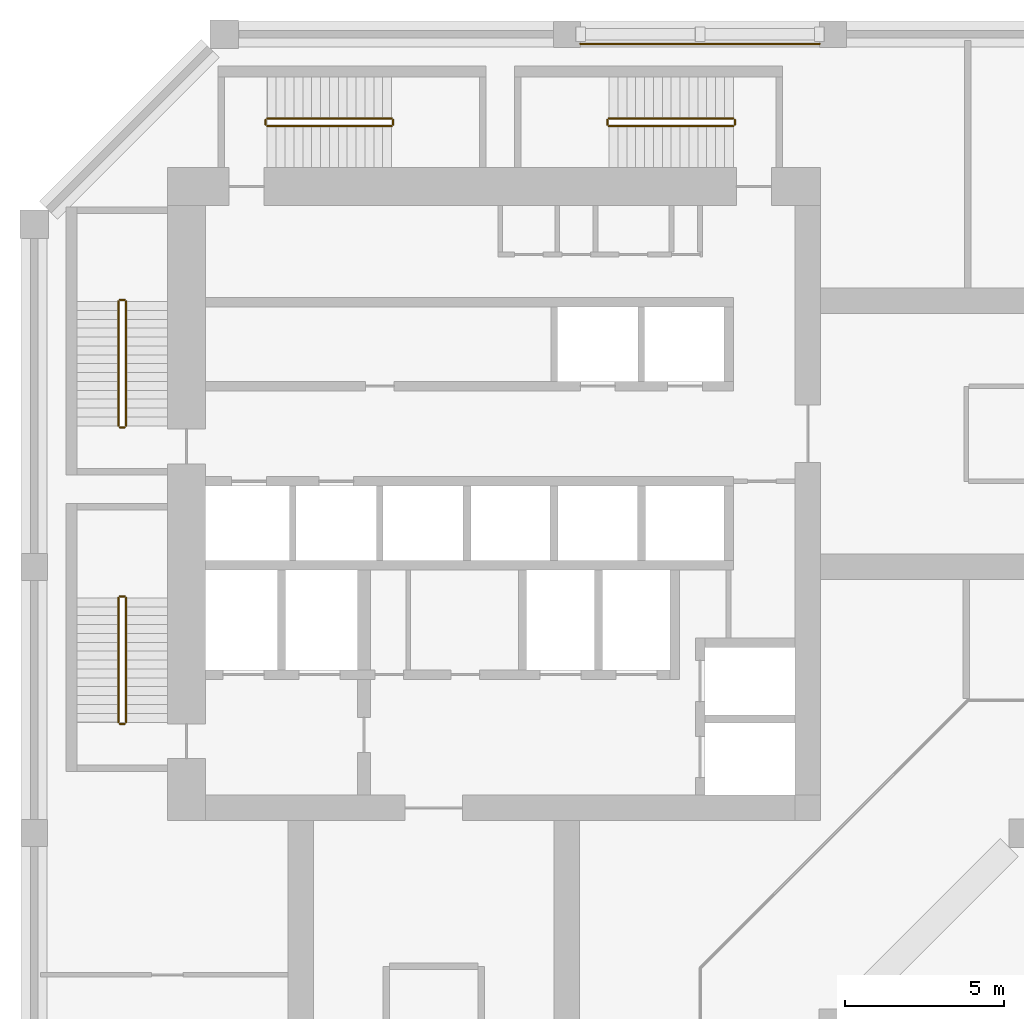
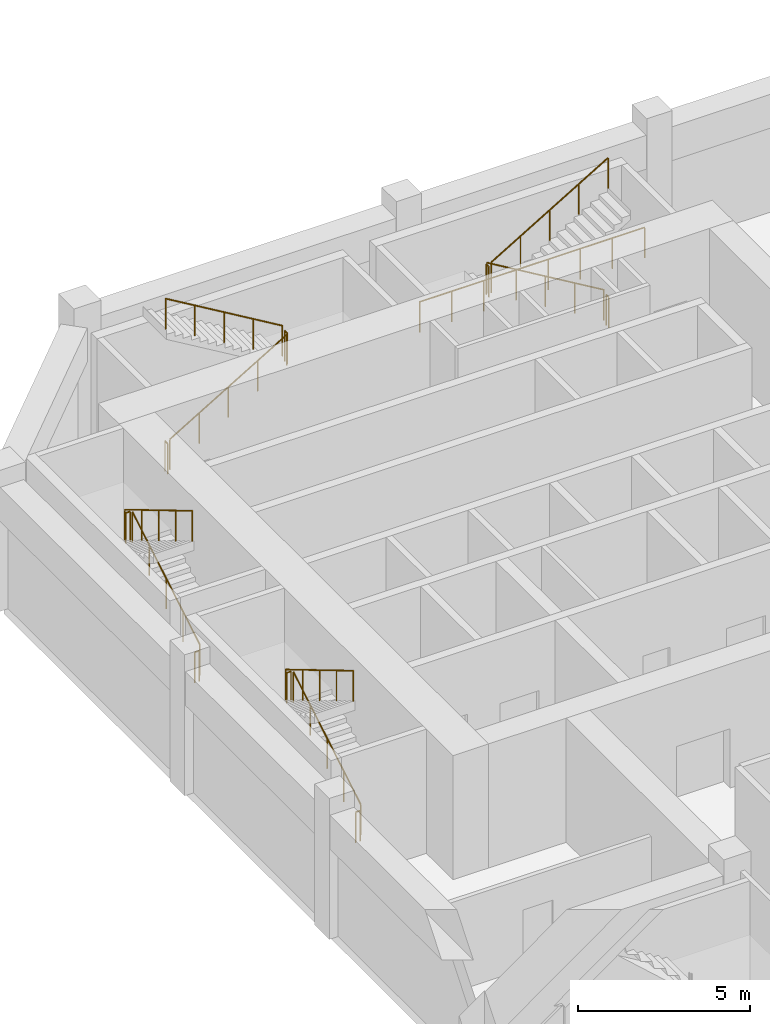
# One storey, part 12 of 14: 17 railings.
"""IFC4 building model written with IfcOpenShell, lengths in metres."""

from ifc_helpers import new_model, si_unit, direction, frame, origin, origin_2d, place, context, subcontext, project, spatial, circle, extrude, material, type_object, element, save


model = new_model("IFC4")

# Units and contexts
model_context = context("Model", 3, precision=1e-05, world=origin(), true_north=direction((0.0, 1.0)))
body_context = subcontext(model_context, "Body", "Model", "MODEL_VIEW")
ifc_project = project(units=[si_unit("LENGTHUNIT", "METRE"), si_unit("AREAUNIT", "SQUARE_METRE"), si_unit("VOLUMEUNIT", "CUBIC_METRE"), si_unit("PLANEANGLEUNIT", "RADIAN"), si_unit("MASSUNIT", "GRAM", prefix="KILO")], contexts=[model_context])

# Site, building, storey
site_placement = place(None, origin())
site = spatial("IfcSite", under=ifc_project, at=site_placement, CompositionType="ELEMENT")
building_placement = place(site_placement, origin())
building = spatial("IfcBuilding", under=site, at=building_placement, Name="Kawkab Arch Medical Tower", CompositionType="ELEMENT")
storey_placement = place(building_placement, frame((0.0, 0.0, 213.0)))
storey = spatial("IfcBuildingStorey", under=building, at=storey_placement, Name="L49", CompositionType="ELEMENT", Elevation=213.0)

# Railings
ifc_material_1 = material(Name="Bronze anodised aluminium guard", Category="aluminium")
railing_type_1 = type_object("IfcRailingType", Name="Loggia and terrace guard 1100", PredefinedType="GUARDRAIL", material=ifc_material_1)
railing_1_placement = place(storey_placement, frame((24.77490234375, -0.300048828125, 0.0)))
element("IfcRailing", 1, at=railing_1_placement, inside=storey, type_object=railing_type_1, Name="Band guard L49.R18.4", PredefinedType="GUARDRAIL", context=body_context, shape_type="SweptSolid", body=[
    extrude(circle(Radius=0.02392578125, at=origin_2d()), frame((0.0, 0.0, 1.076171875), z_axis=(-1.0, 0.0, 0.0), x_axis=(0.0, -1.0, 0.0)), (0.0, 0.0, 1.0), 7.5498046875),
    extrude(circle(Radius=0.02099609375, at=origin_2d()), origin(), (0.0, 0.0, 1.0), 1.052001953125),
    extrude(circle(Radius=0.02099609375, at=origin_2d()), frame((-1.07861328125, 0.0, 0.0)), (0.0, 0.0, 1.0), 1.052001953125),
    extrude(circle(Radius=0.02099609375, at=origin_2d()), frame((-2.156982421875, 0.0, 0.0)), (0.0, 0.0, 1.0), 1.052001953125),
    extrude(circle(Radius=0.02099609375, at=origin_2d()), frame((-3.235595703125, 0.0, 0.0)), (0.0, 0.0, 1.0), 1.052001953125),
    extrude(circle(Radius=0.02099609375, at=origin_2d()), frame((-4.314208984375, 0.0, 0.0)), (0.0, 0.0, 1.0), 1.052001953125),
    extrude(circle(Radius=0.02099609375, at=origin_2d()), frame((-5.392822265625, 0.0, 0.0)), (0.0, 0.0, 1.0), 1.052001953125),
    extrude(circle(Radius=0.02099609375, at=origin_2d()), frame((-6.47119140625, 0.0, 0.0)), (0.0, 0.0, 1.0), 1.052001953125),
    extrude(circle(Radius=0.02099609375, at=origin_2d()), frame((-7.5498046875, 0.0, 0.0)), (0.0, 0.0, 1.0), 1.052001953125),
])
ifc_material_2 = material(Name="Stainless steel", Category="steel")
railing_type_2 = type_object("IfcRailingType", Name="Stair guard 1100", PredefinedType="GUARDRAIL", material=ifc_material_2)
railing_2_placement = place(storey_placement, frame((2.89990234375, -12.35009765625, 0.166748046875)))
element("IfcRailing", 2, at=railing_2_placement, inside=storey, type_object=railing_type_2, Name="L49 ST1 stair guard 1", PredefinedType="GUARDRAIL", context=body_context, shape_type="SweptSolid", body=[
    extrude(circle(Radius=0.02392578125, at=origin_2d()), frame((0.0, 0.0, 1.076171875), z_axis=(0.0, 0.859310244771, 0.511454693235), x_axis=(-1.0, 0.0, 0.0)), (0.0, 0.0, 1.0), 4.56201171875),
    extrude(circle(Radius=0.02099609375, at=origin_2d()), origin(), (0.0, 0.0, 1.0), 1.052001953125),
    extrude(circle(Radius=0.02099609375, at=origin_2d()), frame((0.0, 0.97998046875, 0.583251953125)), (0.0, 0.0, 1.0), 1.052001953125),
    extrude(circle(Radius=0.02099609375, at=origin_2d()), frame((0.0, 1.9599609375, 1.16650390625)), (0.0, 0.0, 1.0), 1.052001953125),
    extrude(circle(Radius=0.02099609375, at=origin_2d()), frame((0.0, 2.940185546875, 1.75)), (0.0, 0.0, 1.0), 1.052001953125),
    extrude(circle(Radius=0.02099609375, at=origin_2d()), frame((0.0, 3.920166015625, 2.333251953125)), (0.0, 0.0, 1.0), 1.052001953125),
])
railing_3_placement = place(storey_placement, frame((2.85009765625, -8.3798828125, 2.5)))
element("IfcRailing", 3, at=railing_3_placement, inside=storey, type_object=railing_type_2, Name="L49 ST1 stair guard 2", PredefinedType="GUARDRAIL", context=body_context, shape_type="SweptSolid", body=[
    extrude(circle(Radius=0.02392578125, at=origin_2d()), frame((0.0, 0.0, 1.076171875), z_axis=(-1.0, 0.0, 0.0), x_axis=(0.0, -1.0, 0.0)), (0.0, 0.0, 1.0), 0.150146484375),
    extrude(circle(Radius=0.02099609375, at=origin_2d()), origin(), (0.0, 0.0, 1.0), 1.052001953125),
    extrude(circle(Radius=0.02099609375, at=origin_2d()), frame((-0.150146484375, 0.0, 0.0)), (0.0, 0.0, 1.0), 1.052001953125),
])
railing_4_placement = place(storey_placement, frame((2.64990234375, -8.429931640625, 2.666748046875)))
element("IfcRailing", 4, at=railing_4_placement, inside=storey, type_object=railing_type_2, Name="L49 ST1 stair guard 3", PredefinedType="GUARDRAIL", context=body_context, shape_type="SweptSolid", body=[
    extrude(circle(Radius=0.02392578125, at=origin_2d()), frame((0.0, 0.0, 1.076171875), z_axis=(0.0, -0.859310244771, 0.511454693235), x_axis=(1.0, 0.0, 0.0)), (0.0, 0.0, 1.0), 4.56201171875),
    extrude(circle(Radius=0.02099609375, at=origin_2d()), origin(), (0.0, 0.0, 1.0), 1.052001953125),
    extrude(circle(Radius=0.02099609375, at=origin_2d()), frame((0.0, -0.97998046875, 0.583251953125)), (0.0, 0.0, 1.0), 1.052001953125),
    extrude(circle(Radius=0.02099609375, at=origin_2d()), frame((0.0, -1.9599609375, 1.16650390625)), (0.0, 0.0, 1.0), 1.052001953125),
    extrude(circle(Radius=0.02099609375, at=origin_2d()), frame((0.0, -2.940185546875, 1.75)), (0.0, 0.0, 1.0), 1.052001953125),
    extrude(circle(Radius=0.02099609375, at=origin_2d()), frame((0.0, -3.920166015625, 2.333251953125)), (0.0, 0.0, 1.0), 1.052001953125),
])
railing_5_placement = place(storey_placement, frame((2.85009765625, -12.39990234375, 0.0)))
element("IfcRailing", 5, at=railing_5_placement, inside=storey, type_object=railing_type_2, Name="L49 ST1 stair guard 4", PredefinedType="GUARDRAIL", context=body_context, shape_type="SweptSolid", body=[
    extrude(circle(Radius=0.02392578125, at=origin_2d()), frame((0.0, 0.0, 1.076171875), z_axis=(-1.0, 0.0, 0.0), x_axis=(0.0, -1.0, 0.0)), (0.0, 0.0, 1.0), 0.150146484375),
    extrude(circle(Radius=0.02099609375, at=origin_2d()), origin(), (0.0, 0.0, 1.0), 1.052001953125),
    extrude(circle(Radius=0.02099609375, at=origin_2d()), frame((-0.150146484375, 0.0, 0.0)), (0.0, 0.0, 1.0), 1.052001953125),
])
railing_6_placement = place(storey_placement, frame((2.89990234375, -21.699951171875, 0.166748046875)))
element("IfcRailing", 6, at=railing_6_placement, inside=storey, type_object=railing_type_2, Name="L49 ST2 stair guard 1", PredefinedType="GUARDRAIL", context=body_context, shape_type="SweptSolid", body=[
    extrude(circle(Radius=0.02392578125, at=origin_2d()), frame((0.0, 0.0, 1.076171875), z_axis=(0.0, 0.859296244711, 0.511478214419), x_axis=(-1.0, 0.0, 0.0)), (0.0, 0.0, 1.0), 4.561767578125),
    extrude(circle(Radius=0.02099609375, at=origin_2d()), origin(), (0.0, 0.0, 1.0), 1.052001953125),
    extrude(circle(Radius=0.02099609375, at=origin_2d()), frame((0.0, 0.97998046875, 0.583251953125)), (0.0, 0.0, 1.0), 1.052001953125),
    extrude(circle(Radius=0.02099609375, at=origin_2d()), frame((0.0, 1.9599609375, 1.16650390625)), (0.0, 0.0, 1.0), 1.052001953125),
    extrude(circle(Radius=0.02099609375, at=origin_2d()), frame((0.0, 2.93994140625, 1.75)), (0.0, 0.0, 1.0), 1.052001953125),
    extrude(circle(Radius=0.02099609375, at=origin_2d()), frame((0.0, 3.919921875, 2.333251953125)), (0.0, 0.0, 1.0), 1.052001953125),
])
railing_7_placement = place(storey_placement, frame((2.85009765625, -17.72998046875, 2.5)))
element("IfcRailing", 7, at=railing_7_placement, inside=storey, type_object=railing_type_2, Name="L49 ST2 stair guard 2", PredefinedType="GUARDRAIL", context=body_context, shape_type="SweptSolid", body=[
    extrude(circle(Radius=0.02392578125, at=origin_2d()), frame((0.0, 0.0, 1.076171875), z_axis=(-1.0, 0.0, 0.0), x_axis=(0.0, -1.0, 0.0)), (0.0, 0.0, 1.0), 0.150146484375),
    extrude(circle(Radius=0.02099609375, at=origin_2d()), origin(), (0.0, 0.0, 1.0), 1.052001953125),
    extrude(circle(Radius=0.02099609375, at=origin_2d()), frame((-0.150146484375, 0.0, 0.0)), (0.0, 0.0, 1.0), 1.052001953125),
])
railing_8_placement = place(storey_placement, frame((2.64990234375, -17.780029296875, 2.666748046875)))
element("IfcRailing", 8, at=railing_8_placement, inside=storey, type_object=railing_type_2, Name="L49 ST2 stair guard 3", PredefinedType="GUARDRAIL", context=body_context, shape_type="SweptSolid", body=[
    extrude(circle(Radius=0.02392578125, at=origin_2d()), frame((0.0, 0.0, 1.076171875), z_axis=(0.0, -0.859296244711, 0.511478214419), x_axis=(1.0, 0.0, 0.0)), (0.0, 0.0, 1.0), 4.561767578125),
    extrude(circle(Radius=0.02099609375, at=origin_2d()), origin(), (0.0, 0.0, 1.0), 1.052001953125),
    extrude(circle(Radius=0.02099609375, at=origin_2d()), frame((0.0, -0.97998046875, 0.583251953125)), (0.0, 0.0, 1.0), 1.052001953125),
    extrude(circle(Radius=0.02099609375, at=origin_2d()), frame((0.0, -1.9599609375, 1.16650390625)), (0.0, 0.0, 1.0), 1.052001953125),
    extrude(circle(Radius=0.02099609375, at=origin_2d()), frame((0.0, -2.93994140625, 1.75)), (0.0, 0.0, 1.0), 1.052001953125),
    extrude(circle(Radius=0.02099609375, at=origin_2d()), frame((0.0, -3.919921875, 2.333251953125)), (0.0, 0.0, 1.0), 1.052001953125),
])
railing_9_placement = place(storey_placement, frame((2.85009765625, -21.75, 0.0)))
element("IfcRailing", 9, at=railing_9_placement, inside=storey, type_object=railing_type_2, Name="L49 ST2 stair guard 4", PredefinedType="GUARDRAIL", context=body_context, shape_type="SweptSolid", body=[
    extrude(circle(Radius=0.02392578125, at=origin_2d()), frame((0.0, 0.0, 1.076171875), z_axis=(-1.0, 0.0, 0.0), x_axis=(0.0, -1.0, 0.0)), (0.0, 0.0, 1.0), 0.150146484375),
    extrude(circle(Radius=0.02099609375, at=origin_2d()), origin(), (0.0, 0.0, 1.0), 1.052001953125),
    extrude(circle(Radius=0.02099609375, at=origin_2d()), frame((-0.150146484375, 0.0, 0.0)), (0.0, 0.0, 1.0), 1.052001953125),
])
railing_10_placement = place(storey_placement, frame((7.35009765625, -2.89990234375, 0.166748046875)))
element("IfcRailing", 10, at=railing_10_placement, inside=storey, type_object=railing_type_2, Name="L49 ST3 stair guard 1", PredefinedType="GUARDRAIL", context=body_context, shape_type="SweptSolid", body=[
    extrude(circle(Radius=0.02392578125, at=origin_2d()), frame((0.0, 0.0, 1.076171875), z_axis=(0.859296244711, 0.0, 0.511478214419), x_axis=(0.0, 1.0, 0.0)), (0.0, 0.0, 1.0), 4.561767578125),
    extrude(circle(Radius=0.02099609375, at=origin_2d()), origin(), (0.0, 0.0, 1.0), 1.052001953125),
    extrude(circle(Radius=0.02099609375, at=origin_2d()), frame((0.97998046875, 0.0, 0.583251953125)), (0.0, 0.0, 1.0), 1.052001953125),
    extrude(circle(Radius=0.02099609375, at=origin_2d()), frame((1.9599609375, 0.0, 1.16650390625)), (0.0, 0.0, 1.0), 1.052001953125),
    extrude(circle(Radius=0.02099609375, at=origin_2d()), frame((2.93994140625, 0.0, 1.75)), (0.0, 0.0, 1.0), 1.052001953125),
    extrude(circle(Radius=0.02099609375, at=origin_2d()), frame((3.919921875, 0.0, 2.333251953125)), (0.0, 0.0, 1.0), 1.052001953125),
])
railing_11_placement = place(storey_placement, frame((11.320068359375, -2.85009765625, 2.5)))
element("IfcRailing", 11, at=railing_11_placement, inside=storey, type_object=railing_type_2, Name="L49 ST3 stair guard 2", PredefinedType="GUARDRAIL", context=body_context, shape_type="SweptSolid", body=[
    extrude(circle(Radius=0.02392578125, at=origin_2d()), frame((0.0, 0.0, 1.076171875), z_axis=(0.0, 1.0, 0.0), x_axis=(-1.0, 0.0, 0.0)), (0.0, 0.0, 1.0), 0.150146484375),
    extrude(circle(Radius=0.02099609375, at=origin_2d()), origin(), (0.0, 0.0, 1.0), 1.052001953125),
    extrude(circle(Radius=0.02099609375, at=origin_2d()), frame((0.0, 0.150146484375, 0.0)), (0.0, 0.0, 1.0), 1.052001953125),
])
railing_12_placement = place(storey_placement, frame((11.27001953125, -2.64990234375, 2.666748046875)))
element("IfcRailing", 12, at=railing_12_placement, inside=storey, type_object=railing_type_2, Name="L49 ST3 stair guard 3", PredefinedType="GUARDRAIL", context=body_context, shape_type="SweptSolid", body=[
    extrude(circle(Radius=0.02392578125, at=origin_2d()), frame((0.0, 0.0, 1.076171875), z_axis=(-0.859296244711, 0.0, 0.511478214419), x_axis=(0.0, -1.0, 0.0)), (0.0, 0.0, 1.0), 4.561767578125),
    extrude(circle(Radius=0.02099609375, at=origin_2d()), origin(), (0.0, 0.0, 1.0), 1.052001953125),
    extrude(circle(Radius=0.02099609375, at=origin_2d()), frame((-0.97998046875, 0.0, 0.583251953125)), (0.0, 0.0, 1.0), 1.052001953125),
    extrude(circle(Radius=0.02099609375, at=origin_2d()), frame((-1.9599609375, 0.0, 1.16650390625)), (0.0, 0.0, 1.0), 1.052001953125),
    extrude(circle(Radius=0.02099609375, at=origin_2d()), frame((-2.93994140625, 0.0, 1.75)), (0.0, 0.0, 1.0), 1.052001953125),
    extrude(circle(Radius=0.02099609375, at=origin_2d()), frame((-3.919921875, 0.0, 2.333251953125)), (0.0, 0.0, 1.0), 1.052001953125),
])
railing_13_placement = place(storey_placement, frame((7.300048828125, -2.85009765625, 0.0)))
element("IfcRailing", 13, at=railing_13_placement, inside=storey, type_object=railing_type_2, Name="L49 ST3 stair guard 4", PredefinedType="GUARDRAIL", context=body_context, shape_type="SweptSolid", body=[
    extrude(circle(Radius=0.02392578125, at=origin_2d()), frame((0.0, 0.0, 1.076171875), z_axis=(0.0, 1.0, 0.0), x_axis=(-1.0, 0.0, 0.0)), (0.0, 0.0, 1.0), 0.150146484375),
    extrude(circle(Radius=0.02099609375, at=origin_2d()), origin(), (0.0, 0.0, 1.0), 1.052001953125),
    extrude(circle(Radius=0.02099609375, at=origin_2d()), frame((0.0, 0.150146484375, 0.0)), (0.0, 0.0, 1.0), 1.052001953125),
])
railing_14_placement = place(storey_placement, frame((22.050048828125, -2.64990234375, 0.166748046875)))
element("IfcRailing", 14, at=railing_14_placement, inside=storey, type_object=railing_type_2, Name="L49 ST4 stair guard 1", PredefinedType="GUARDRAIL", context=body_context, shape_type="SweptSolid", body=[
    extrude(circle(Radius=0.02392578125, at=origin_2d()), frame((0.0, 0.0, 1.076171875), z_axis=(-0.859310244771, 0.0, 0.511454693235), x_axis=(0.0, -1.0, 0.0)), (0.0, 0.0, 1.0), 4.56201171875),
    extrude(circle(Radius=0.02099609375, at=origin_2d()), origin(), (0.0, 0.0, 1.0), 1.052001953125),
    extrude(circle(Radius=0.02099609375, at=origin_2d()), frame((-0.97998046875, 0.0, 0.583251953125)), (0.0, 0.0, 1.0), 1.052001953125),
    extrude(circle(Radius=0.02099609375, at=origin_2d()), frame((-1.9599609375, 0.0, 1.16650390625)), (0.0, 0.0, 1.0), 1.052001953125),
    extrude(circle(Radius=0.02099609375, at=origin_2d()), frame((-2.940185546875, 0.0, 1.75)), (0.0, 0.0, 1.0), 1.052001953125),
    extrude(circle(Radius=0.02099609375, at=origin_2d()), frame((-3.920166015625, 0.0, 2.333251953125)), (0.0, 0.0, 1.0), 1.052001953125),
])
railing_15_placement = place(storey_placement, frame((18.080078125, -2.699951171875, 2.5)))
element("IfcRailing", 15, at=railing_15_placement, inside=storey, type_object=railing_type_2, Name="L49 ST4 stair guard 2", PredefinedType="GUARDRAIL", context=body_context, shape_type="SweptSolid", body=[
    extrude(circle(Radius=0.02392578125, at=origin_2d()), frame((0.0, 0.0, 1.076171875), z_axis=(0.0, -1.0, 0.0), x_axis=(1.0, 0.0, 0.0)), (0.0, 0.0, 1.0), 0.150146484375),
    extrude(circle(Radius=0.02099609375, at=origin_2d()), origin(), (0.0, 0.0, 1.0), 1.052001953125),
    extrude(circle(Radius=0.02099609375, at=origin_2d()), frame((0.0, -0.150146484375, 0.0)), (0.0, 0.0, 1.0), 1.052001953125),
])
railing_16_placement = place(storey_placement, frame((18.1298828125, -2.89990234375, 2.666748046875)))
element("IfcRailing", 16, at=railing_16_placement, inside=storey, type_object=railing_type_2, Name="L49 ST4 stair guard 3", PredefinedType="GUARDRAIL", context=body_context, shape_type="SweptSolid", body=[
    extrude(circle(Radius=0.02392578125, at=origin_2d()), frame((0.0, 0.0, 1.076171875), z_axis=(0.859310244771, 0.0, 0.511454693235), x_axis=(0.0, 1.0, 0.0)), (0.0, 0.0, 1.0), 4.56201171875),
    extrude(circle(Radius=0.02099609375, at=origin_2d()), origin(), (0.0, 0.0, 1.0), 1.052001953125),
    extrude(circle(Radius=0.02099609375, at=origin_2d()), frame((0.97998046875, 0.0, 0.583251953125)), (0.0, 0.0, 1.0), 1.052001953125),
    extrude(circle(Radius=0.02099609375, at=origin_2d()), frame((1.9599609375, 0.0, 1.16650390625)), (0.0, 0.0, 1.0), 1.052001953125),
    extrude(circle(Radius=0.02099609375, at=origin_2d()), frame((2.940185546875, 0.0, 1.75)), (0.0, 0.0, 1.0), 1.052001953125),
    extrude(circle(Radius=0.02099609375, at=origin_2d()), frame((3.920166015625, 0.0, 2.333251953125)), (0.0, 0.0, 1.0), 1.052001953125),
])
railing_17_placement = place(storey_placement, frame((22.10009765625, -2.699951171875, 0.0)))
element("IfcRailing", 17, at=railing_17_placement, inside=storey, type_object=railing_type_2, Name="L49 ST4 stair guard 4", PredefinedType="GUARDRAIL", context=body_context, shape_type="SweptSolid", body=[
    extrude(circle(Radius=0.02392578125, at=origin_2d()), frame((0.0, 0.0, 1.076171875), z_axis=(0.0, -1.0, 0.0), x_axis=(1.0, 0.0, 0.0)), (0.0, 0.0, 1.0), 0.150146484375),
    extrude(circle(Radius=0.02099609375, at=origin_2d()), origin(), (0.0, 0.0, 1.0), 1.052001953125),
    extrude(circle(Radius=0.02099609375, at=origin_2d()), frame((0.0, -0.150146484375, 0.0)), (0.0, 0.0, 1.0), 1.052001953125),
])

save(model, "model.ifc")
